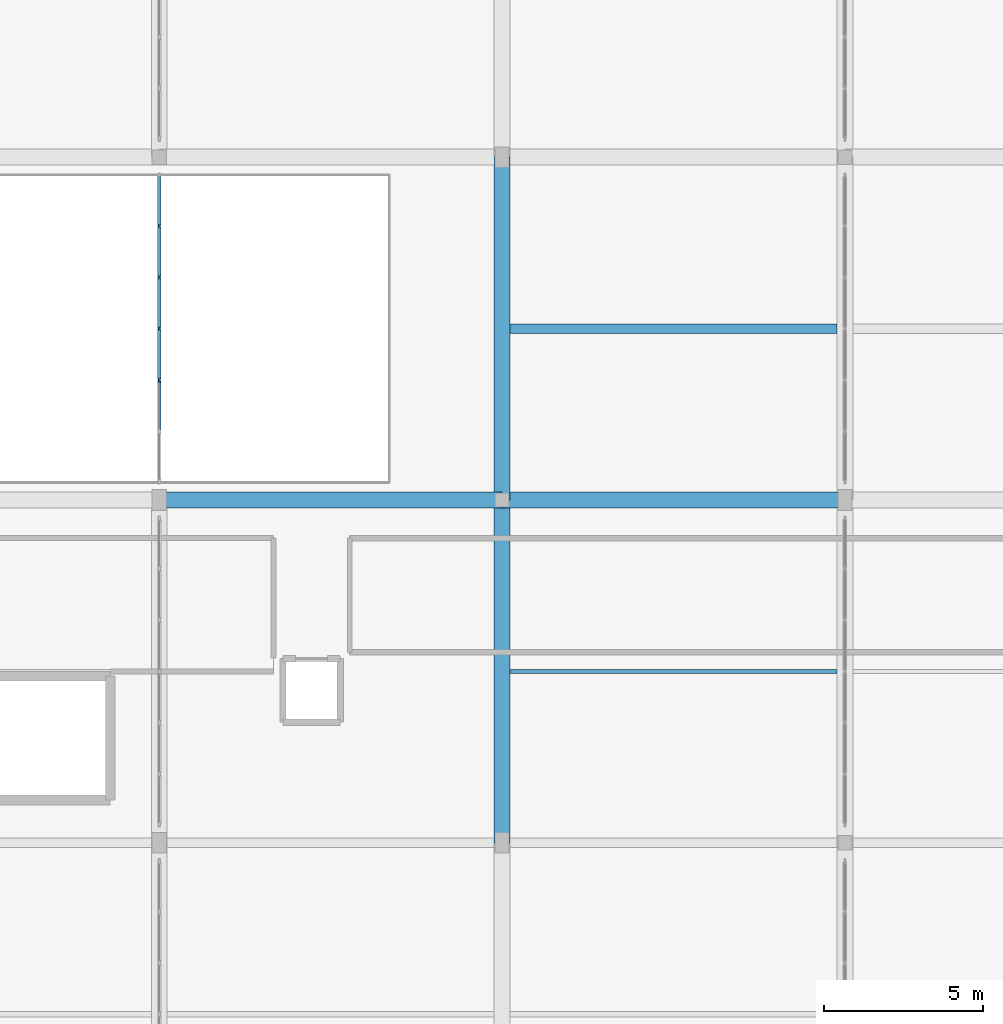
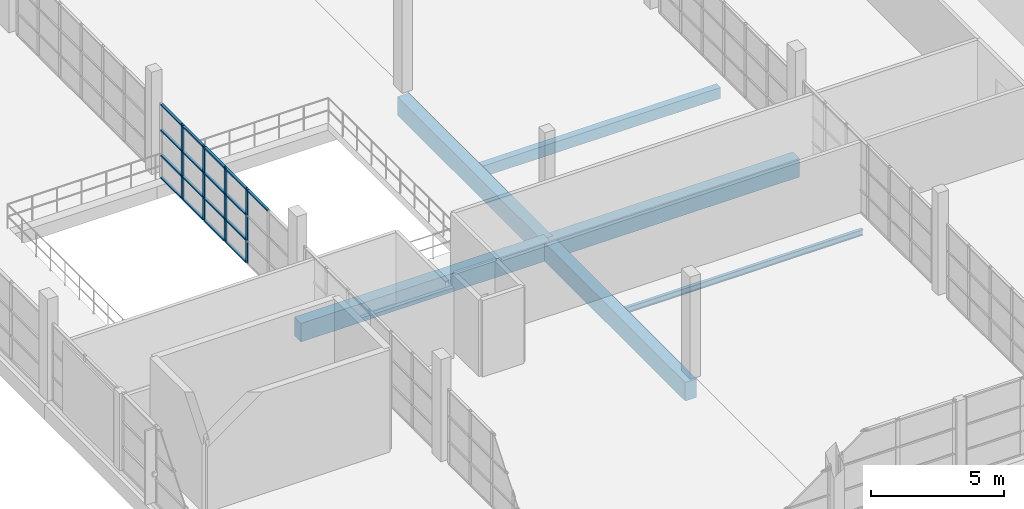
# One storey, part 10 of 142: 21 members, 6 beams, 1 element without a shape of its own.
"""IFC4 building model written with IfcOpenShell, lengths in metres."""

from ifc_helpers import new_model, si_unit, direction, frame, origin, origin_2d, place, context, subcontext, project, spatial, rectangle, i_section, extrude, material, material_profile, profile_set, type_object, element, aggregate, save


model = new_model("IFC4")

# Units and contexts
model_context = context("Model", 3, precision=1e-05, world=origin(), true_north=direction((0.0, 1.0)))
body_context = subcontext(model_context, "Body", "Model", "MODEL_VIEW")
ifc_project = project(units=[si_unit("LENGTHUNIT", "METRE"), si_unit("AREAUNIT", "SQUARE_METRE"), si_unit("VOLUMEUNIT", "CUBIC_METRE"), si_unit("PLANEANGLEUNIT", "RADIAN"), si_unit("MASSUNIT", "GRAM", prefix="KILO")], contexts=[model_context])

# Site, building, storey
site_placement = place(None, origin())
site = spatial("IfcSite", under=ifc_project, at=site_placement, CompositionType="ELEMENT")
building_placement = place(site_placement, origin())
building = spatial("IfcBuilding", under=site, at=building_placement, Name="Zwinboog Wholesale Market", CompositionType="ELEMENT")
storey_placement = place(building_placement, frame((0.0, 0.0, 5.39990234375)))
storey = spatial("IfcBuildingStorey", under=building, at=storey_placement, Name="L01", CompositionType="ELEMENT", Elevation=5.39990234375)

# Beams
ifc_material_1 = material(Name="Precast concrete C45/55", Category="concrete")
ifc_material_profile_1 = material_profile(ifc_material_1, rectangle(XDim=0.5, YDim=0.85009765625, at=origin_2d()), Name="PC 500x850")
ifc_profile_set_1 = profile_set([ifc_material_profile_1], Name="Precast concrete C45/55")
beam_type_1 = type_object("IfcBeamType", Name="BT-03", PredefinedType="BEAM", material=ifc_profile_set_1)
beam_1_placement = place(storey_placement, frame((10.800048828125, 21.60009765625, -0.7568359375), z_axis=(1.0, 0.0, 0.0), x_axis=(0.0, 1.0, 0.0)))
element("IfcBeam", 1, at=beam_1_placement, inside=storey, type_object=beam_type_1, Name="BG-03 (BMG-L01-0108-0216-0438)", PredefinedType="BEAM", context=body_context, shape_type="SweptSolid", body=[
    extrude(rectangle(XDim=0.5, YDim=0.85009765625, at=origin_2d()), origin(), (0.0, 0.0, 1.0), 10.800048828125),
])
beam_2_placement = place(storey_placement, frame((21.60009765625, 21.60009765625, -0.7568359375), z_axis=(1.0, 0.0, 0.0), x_axis=(0.0, 1.0, 0.0)))
element("IfcBeam", 2, at=beam_2_placement, inside=storey, type_object=beam_type_1, Name="BG-03 (BMG-L01-0216-0216-0439)", PredefinedType="BEAM", context=body_context, shape_type="SweptSolid", body=[
    extrude(rectangle(XDim=0.5, YDim=0.85009765625, at=origin_2d()), origin(), (0.0, 0.0, 1.0), 10.7998046875),
])
beam_3_placement = place(storey_placement, frame((21.60009765625, 10.800048828125, -0.7568359375), z_axis=(0.0, 1.0, 0.0), x_axis=(-1.0, 0.0, 0.0)))
element("IfcBeam", 3, at=beam_3_placement, inside=storey, type_object=beam_type_1, Name="BG-03 (BMG-L01-0216-0108-0624)", PredefinedType="BEAM", context=body_context, shape_type="SweptSolid", body=[
    extrude(rectangle(XDim=0.5, YDim=0.85009765625, at=origin_2d()), origin(), (0.0, 0.0, 1.0), 10.800048828125),
])
beam_4_placement = place(storey_placement, frame((21.60009765625, 21.60009765625, -0.7568359375), z_axis=(0.0, 1.0, 0.0), x_axis=(-1.0, 0.0, 0.0)))
element("IfcBeam", 4, at=beam_4_placement, inside=storey, type_object=beam_type_1, Name="BG-03 (BMG-L01-0216-0216-0625)", PredefinedType="BEAM", context=body_context, shape_type="SweptSolid", body=[
    extrude(rectangle(XDim=0.5, YDim=0.85009765625, at=origin_2d()), origin(), (0.0, 0.0, 1.0), 10.7998046875),
])
ifc_material_profile_2 = material_profile(ifc_material_1, rectangle(XDim=0.300048828125, YDim=0.5, at=origin_2d()), Name="PC 300x500")
ifc_profile_set_2 = profile_set([ifc_material_profile_2], Name="Precast concrete C45/55")
beam_type_2 = type_object("IfcBeamType", Name="BT-10", PredefinedType="JOIST", material=ifc_profile_set_2)
beam_5_placement = place(storey_placement, frame((21.85009765625, 27.0, -0.581787109375), z_axis=(1.0, 0.0, 0.0), x_axis=(0.0, 1.0, 0.0)))
element("IfcBeam", 5, at=beam_5_placement, inside=storey, type_object=beam_type_2, Name="BJ-01 (BMG-L01-0218-0270-0786)", PredefinedType="JOIST", context=body_context, shape_type="SweptSolid", body=[
    extrude(rectangle(XDim=0.300048828125, YDim=0.5, at=origin_2d()), origin(), (0.0, 0.0, 1.0), 10.2998046875),
])
ifc_material_2 = material(Name="Steel S355", Category="steel")
ifc_material_profile_3 = material_profile(ifc_material_2, i_section(OverallWidth=0.135009765625, OverallDepth=0.27001953125, WebThickness=0.006591796875, FlangeThickness=0.01025390625, FilletRadius=0.014892578125, at=origin_2d()), Name="IPE 270")
ifc_profile_set_3 = profile_set([ifc_material_profile_3], Name="Steel S355")
beam_type_3 = type_object("IfcBeamType", Name="BT-21", PredefinedType="JOIST", material=ifc_profile_set_3)
beam_6_placement = place(storey_placement, frame((21.85009765625, 16.199951171875, -0.466796875), z_axis=(1.0, 0.0, 0.0), x_axis=(0.0, 1.0, 0.0)))
element("IfcBeam", 6, at=beam_6_placement, inside=storey, type_object=beam_type_3, Name="SJ-04 (BMG-L01-0218-0162-0785)", PredefinedType="JOIST", context=body_context, shape_type="SweptSolid", body=[
    extrude(i_section(OverallWidth=0.135009765625, OverallDepth=0.27001953125, WebThickness=0.006591796875, FlangeThickness=0.01025390625, FilletRadius=0.014892578125, at=origin_2d()), origin(), (0.0, 0.0, 1.0), 10.2998046875),
])

# Curtain wall, members
ifc_material_3 = material(Name="Aluminium thermally broken curtain wall", Category="aluminium")
curtain_wall_type = type_object("IfcCurtainWallType", Name="CWT-INT-STALL", PredefinedType="USERDEFINED", material=ifc_material_3)
curtain_wall_placement = place(storey_placement, origin())
curtain_wall = element("IfcCurtainWall", 7, at=curtain_wall_placement, inside=storey, type_object=curtain_wall_type, Name="CW-07 (CW-STL-257)", ObjectType="STOREFRONT_GLAZING", PredefinedType="USERDEFINED")
ifc_material_4 = material(Name="Aluminium EN AW-6060", Category="aluminium")
ifc_material_profile_4 = material_profile(ifc_material_4, rectangle(XDim=0.06005859375, YDim=0.14990234375, at=origin_2d()), Name="AL 60x150")
ifc_profile_set_4 = profile_set([ifc_material_profile_4], Name="Aluminium EN AW-6060")
member_type_1 = type_object("IfcMemberType", Name="CWM-INT-60x120", PredefinedType="MULLION", material=ifc_profile_set_4)
member_1_placement = place(storey_placement, frame((10.800048828125, 25.38330078125, 0.0), z_axis=(0.0, 0.0, 1.0), x_axis=(-1.0, 0.0, 0.0)))
member_1 = element("IfcMember", 8, at=member_1_placement, type_object=member_type_1, Name="CW-07 mullion 3", PredefinedType="MULLION", context=body_context, shape_type="SweptSolid", body=[
    extrude(rectangle(XDim=0.06005859375, YDim=0.14990234375, at=origin_2d()), origin(), (0.0, 0.0, 1.0), 3.400146484375),
])
member_2_placement = place(storey_placement, frame((10.800048828125, 27.0, 0.0), z_axis=(0.0, 0.0, 1.0), x_axis=(-1.0, 0.0, 0.0)))
member_2 = element("IfcMember", 9, at=member_2_placement, type_object=member_type_1, Name="CW-07 mullion 4", PredefinedType="MULLION", context=body_context, shape_type="SweptSolid", body=[
    extrude(rectangle(XDim=0.06005859375, YDim=0.14990234375, at=origin_2d()), origin(), (0.0, 0.0, 1.0), 3.400146484375),
])
member_3_placement = place(storey_placement, frame((10.800048828125, 28.61669921875, 0.0), z_axis=(0.0, 0.0, 1.0), x_axis=(-1.0, 0.0, 0.0)))
member_3 = element("IfcMember", 10, at=member_3_placement, type_object=member_type_1, Name="CW-07 mullion 5", PredefinedType="MULLION", context=body_context, shape_type="SweptSolid", body=[
    extrude(rectangle(XDim=0.06005859375, YDim=0.14990234375, at=origin_2d()), origin(), (0.0, 0.0, 1.0), 3.400146484375),
])
member_4_placement = place(storey_placement, frame((10.800048828125, 30.2333984375, 0.0), z_axis=(0.0, 0.0, 1.0), x_axis=(-1.0, 0.0, 0.0)))
member_4 = element("IfcMember", 11, at=member_4_placement, type_object=member_type_1, Name="CW-07 mullion 6", PredefinedType="MULLION", context=body_context, shape_type="SweptSolid", body=[
    extrude(rectangle(XDim=0.06005859375, YDim=0.14990234375, at=origin_2d()), origin(), (0.0, 0.0, 1.0), 3.400146484375),
])
ifc_material_profile_5 = material_profile(ifc_material_4, rectangle(XDim=0.110107421875, YDim=0.06005859375, at=origin_2d()), Name="AL 60x110")
ifc_profile_set_5 = profile_set([ifc_material_profile_5], Name="Aluminium EN AW-6060")
member_type_2 = type_object("IfcMemberType", Name="CWT-INT-60x100", PredefinedType="USERDEFINED", material=ifc_profile_set_5)
member_5_placement = place(storey_placement, frame((10.800048828125, 23.796630859375, 3.3701171875), z_axis=(0.0, 1.0, 0.0), x_axis=(-1.0, 0.0, 0.0)))
member_5 = element("IfcMember", 12, at=member_5_placement, type_object=member_type_2, Name="CW-07 transom 2.4", ObjectType="TRANSOM", PredefinedType="USERDEFINED", context=body_context, shape_type="SweptSolid", body=[
    extrude(rectangle(XDim=0.110107421875, YDim=0.06005859375, at=origin_2d()), origin(), (0.0, 0.0, 1.0), 1.556640625),
])
member_6_placement = place(storey_placement, frame((10.800048828125, 25.413330078125, 0.030029296875), z_axis=(0.0, 1.0, 0.0), x_axis=(-1.0, 0.0, 0.0)))
member_6 = element("IfcMember", 13, at=member_6_placement, type_object=member_type_2, Name="CW-07 transom 3.1", ObjectType="TRANSOM", PredefinedType="USERDEFINED", context=body_context, shape_type="SweptSolid", body=[
    extrude(rectangle(XDim=0.110107421875, YDim=0.06005859375, at=origin_2d()), origin(), (0.0, 0.0, 1.0), 1.556640625),
])
member_7_placement = place(storey_placement, frame((10.800048828125, 25.413330078125, 1.050048828125), z_axis=(0.0, 1.0, 0.0), x_axis=(-1.0, 0.0, 0.0)))
member_7 = element("IfcMember", 14, at=member_7_placement, type_object=member_type_2, Name="CW-07 transom 3.2", ObjectType="TRANSOM", PredefinedType="USERDEFINED", context=body_context, shape_type="SweptSolid", body=[
    extrude(rectangle(XDim=0.110107421875, YDim=0.06005859375, at=origin_2d()), origin(), (0.0, 0.0, 1.0), 1.556640625),
])
member_8_placement = place(storey_placement, frame((10.800048828125, 25.413330078125, 2.2001953125), z_axis=(0.0, 1.0, 0.0), x_axis=(-1.0, 0.0, 0.0)))
member_8 = element("IfcMember", 15, at=member_8_placement, type_object=member_type_2, Name="CW-07 transom 3.3", ObjectType="TRANSOM", PredefinedType="USERDEFINED", context=body_context, shape_type="SweptSolid", body=[
    extrude(rectangle(XDim=0.110107421875, YDim=0.06005859375, at=origin_2d()), origin(), (0.0, 0.0, 1.0), 1.556640625),
])
member_9_placement = place(storey_placement, frame((10.800048828125, 25.413330078125, 3.3701171875), z_axis=(0.0, 1.0, 0.0), x_axis=(-1.0, 0.0, 0.0)))
member_9 = element("IfcMember", 16, at=member_9_placement, type_object=member_type_2, Name="CW-07 transom 3.4", ObjectType="TRANSOM", PredefinedType="USERDEFINED", context=body_context, shape_type="SweptSolid", body=[
    extrude(rectangle(XDim=0.110107421875, YDim=0.06005859375, at=origin_2d()), origin(), (0.0, 0.0, 1.0), 1.556640625),
])
member_10_placement = place(storey_placement, frame((10.800048828125, 27.030029296875, 0.030029296875), z_axis=(0.0, 1.0, 0.0), x_axis=(-1.0, 0.0, 0.0)))
member_10 = element("IfcMember", 17, at=member_10_placement, type_object=member_type_2, Name="CW-07 transom 4.1", ObjectType="TRANSOM", PredefinedType="USERDEFINED", context=body_context, shape_type="SweptSolid", body=[
    extrude(rectangle(XDim=0.110107421875, YDim=0.06005859375, at=origin_2d()), origin(), (0.0, 0.0, 1.0), 1.556640625),
])
member_11_placement = place(storey_placement, frame((10.800048828125, 27.030029296875, 1.050048828125), z_axis=(0.0, 1.0, 0.0), x_axis=(-1.0, 0.0, 0.0)))
member_11 = element("IfcMember", 18, at=member_11_placement, type_object=member_type_2, Name="CW-07 transom 4.2", ObjectType="TRANSOM", PredefinedType="USERDEFINED", context=body_context, shape_type="SweptSolid", body=[
    extrude(rectangle(XDim=0.110107421875, YDim=0.06005859375, at=origin_2d()), origin(), (0.0, 0.0, 1.0), 1.556640625),
])
member_12_placement = place(storey_placement, frame((10.800048828125, 27.030029296875, 2.2001953125), z_axis=(0.0, 1.0, 0.0), x_axis=(-1.0, 0.0, 0.0)))
member_12 = element("IfcMember", 19, at=member_12_placement, type_object=member_type_2, Name="CW-07 transom 4.3", ObjectType="TRANSOM", PredefinedType="USERDEFINED", context=body_context, shape_type="SweptSolid", body=[
    extrude(rectangle(XDim=0.110107421875, YDim=0.06005859375, at=origin_2d()), origin(), (0.0, 0.0, 1.0), 1.556640625),
])
member_13_placement = place(storey_placement, frame((10.800048828125, 27.030029296875, 3.3701171875), z_axis=(0.0, 1.0, 0.0), x_axis=(-1.0, 0.0, 0.0)))
member_13 = element("IfcMember", 20, at=member_13_placement, type_object=member_type_2, Name="CW-07 transom 4.4", ObjectType="TRANSOM", PredefinedType="USERDEFINED", context=body_context, shape_type="SweptSolid", body=[
    extrude(rectangle(XDim=0.110107421875, YDim=0.06005859375, at=origin_2d()), origin(), (0.0, 0.0, 1.0), 1.556640625),
])
member_14_placement = place(storey_placement, frame((10.800048828125, 28.646728515625, 0.030029296875), z_axis=(0.0, 1.0, 0.0), x_axis=(-1.0, 0.0, 0.0)))
member_14 = element("IfcMember", 21, at=member_14_placement, type_object=member_type_2, Name="CW-07 transom 5.1", ObjectType="TRANSOM", PredefinedType="USERDEFINED", context=body_context, shape_type="SweptSolid", body=[
    extrude(rectangle(XDim=0.110107421875, YDim=0.06005859375, at=origin_2d()), origin(), (0.0, 0.0, 1.0), 1.556640625),
])
member_15_placement = place(storey_placement, frame((10.800048828125, 28.646728515625, 1.050048828125), z_axis=(0.0, 1.0, 0.0), x_axis=(-1.0, 0.0, 0.0)))
member_15 = element("IfcMember", 22, at=member_15_placement, type_object=member_type_2, Name="CW-07 transom 5.2", ObjectType="TRANSOM", PredefinedType="USERDEFINED", context=body_context, shape_type="SweptSolid", body=[
    extrude(rectangle(XDim=0.110107421875, YDim=0.06005859375, at=origin_2d()), origin(), (0.0, 0.0, 1.0), 1.556640625),
])
member_16_placement = place(storey_placement, frame((10.800048828125, 28.646728515625, 2.2001953125), z_axis=(0.0, 1.0, 0.0), x_axis=(-1.0, 0.0, 0.0)))
member_16 = element("IfcMember", 23, at=member_16_placement, type_object=member_type_2, Name="CW-07 transom 5.3", ObjectType="TRANSOM", PredefinedType="USERDEFINED", context=body_context, shape_type="SweptSolid", body=[
    extrude(rectangle(XDim=0.110107421875, YDim=0.06005859375, at=origin_2d()), origin(), (0.0, 0.0, 1.0), 1.556640625),
])
member_17_placement = place(storey_placement, frame((10.800048828125, 28.646728515625, 3.3701171875), z_axis=(0.0, 1.0, 0.0), x_axis=(-1.0, 0.0, 0.0)))
member_17 = element("IfcMember", 24, at=member_17_placement, type_object=member_type_2, Name="CW-07 transom 5.4", ObjectType="TRANSOM", PredefinedType="USERDEFINED", context=body_context, shape_type="SweptSolid", body=[
    extrude(rectangle(XDim=0.110107421875, YDim=0.06005859375, at=origin_2d()), origin(), (0.0, 0.0, 1.0), 1.556640625),
])
member_18_placement = place(storey_placement, frame((10.800048828125, 30.263427734375, 0.030029296875), z_axis=(0.0, 1.0, 0.0), x_axis=(-1.0, 0.0, 0.0)))
member_18 = element("IfcMember", 25, at=member_18_placement, type_object=member_type_2, Name="CW-07 transom 6.1", ObjectType="TRANSOM", PredefinedType="USERDEFINED", context=body_context, shape_type="SweptSolid", body=[
    extrude(rectangle(XDim=0.110107421875, YDim=0.06005859375, at=origin_2d()), origin(), (0.0, 0.0, 1.0), 1.526611328125),
])
member_19_placement = place(storey_placement, frame((10.800048828125, 30.263427734375, 1.050048828125), z_axis=(0.0, 1.0, 0.0), x_axis=(-1.0, 0.0, 0.0)))
member_19 = element("IfcMember", 26, at=member_19_placement, type_object=member_type_2, Name="CW-07 transom 6.2", ObjectType="TRANSOM", PredefinedType="USERDEFINED", context=body_context, shape_type="SweptSolid", body=[
    extrude(rectangle(XDim=0.110107421875, YDim=0.06005859375, at=origin_2d()), origin(), (0.0, 0.0, 1.0), 1.526611328125),
])
member_20_placement = place(storey_placement, frame((10.800048828125, 30.263427734375, 2.2001953125), z_axis=(0.0, 1.0, 0.0), x_axis=(-1.0, 0.0, 0.0)))
member_20 = element("IfcMember", 27, at=member_20_placement, type_object=member_type_2, Name="CW-07 transom 6.3", ObjectType="TRANSOM", PredefinedType="USERDEFINED", context=body_context, shape_type="SweptSolid", body=[
    extrude(rectangle(XDim=0.110107421875, YDim=0.06005859375, at=origin_2d()), origin(), (0.0, 0.0, 1.0), 1.526611328125),
])
member_21_placement = place(storey_placement, frame((10.800048828125, 30.263427734375, 3.3701171875), z_axis=(0.0, 1.0, 0.0), x_axis=(-1.0, 0.0, 0.0)))
member_21 = element("IfcMember", 28, at=member_21_placement, type_object=member_type_2, Name="CW-07 transom 6.4", ObjectType="TRANSOM", PredefinedType="USERDEFINED", context=body_context, shape_type="SweptSolid", body=[
    extrude(rectangle(XDim=0.110107421875, YDim=0.06005859375, at=origin_2d()), origin(), (0.0, 0.0, 1.0), 1.526611328125),
])
aggregate(curtain_wall, [member_1, member_2, member_3, member_4, member_5, member_6, member_7, member_8, member_9, member_10, member_11, member_12, member_13, member_14, member_15, member_16, member_17, member_18, member_19, member_20, member_21])

save(model, "model.ifc")
